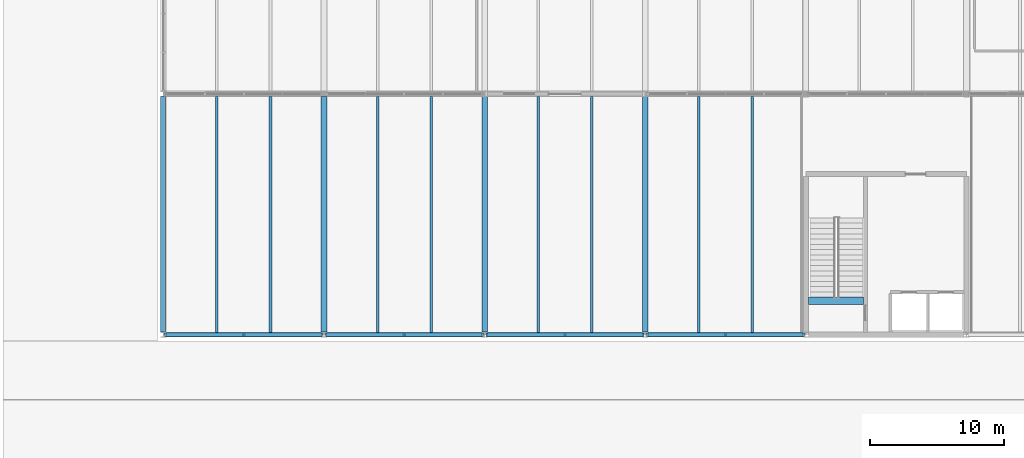
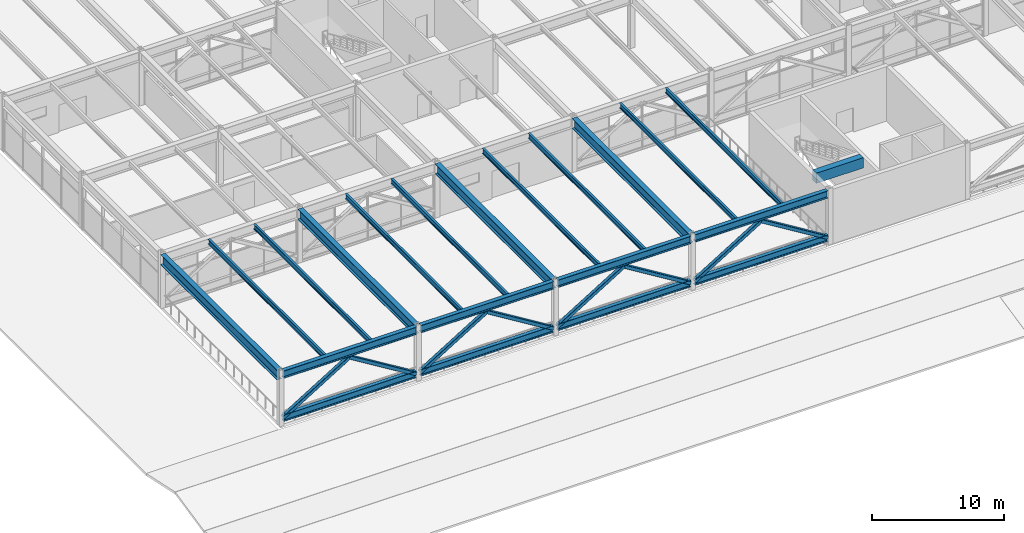
# One storey, part 6 of 42: 17 beams, 12 members.
"""IFC4 building model written with IfcOpenShell, lengths in metres."""

from ifc_helpers import new_model, si_unit, direction, frame, origin, origin_2d, place, context, subcontext, project, spatial, rectangle, hollow_rectangle, i_section, extrude, material, material_profile, profile_set, type_object, element, save


model = new_model("IFC4")

# Units and contexts
model_context = context("Model", 3, precision=1e-05, world=origin(), true_north=direction((0.0, 1.0)))
body_context = subcontext(model_context, "Body", "Model", "MODEL_VIEW")
ifc_project = project(units=[si_unit("LENGTHUNIT", "METRE"), si_unit("AREAUNIT", "SQUARE_METRE"), si_unit("VOLUMEUNIT", "CUBIC_METRE"), si_unit("PLANEANGLEUNIT", "RADIAN"), si_unit("MASSUNIT", "GRAM", prefix="KILO")], contexts=[model_context])

# Site, building, storey
site_placement = place(None, origin())
site = spatial("IfcSite", under=ifc_project, at=site_placement, CompositionType="ELEMENT")
building_placement = place(site_placement, origin())
building = spatial("IfcBuilding", under=site, at=building_placement, Name="Girod Span Mobility Hub", CompositionType="ELEMENT")
storey_placement = place(building_placement, frame((0.0, 0.0, 32.39990234375)))
storey = spatial("IfcBuildingStorey", under=building, at=storey_placement, Name="L08", CompositionType="ELEMENT", Elevation=32.39990234375)

# Beams
ifc_material_1 = material(Name="Concrete C40/50", Category="concrete")
ifc_material_profile_1 = material_profile(ifc_material_1, rectangle(XDim=0.550048828125, YDim=0.949951171875, at=origin_2d()), Name="RK-550X950")
ifc_profile_set_1 = profile_set([ifc_material_profile_1], Name="Concrete C40/50")
beam_type_1 = type_object("IfcBeamType", Name="BM-RK-550X950", PredefinedType="BEAM", material=ifc_profile_set_1)
beam_placement = place(storey_placement, frame((72.18701171875, 29.550048828125, 4.565185546875), z_axis=(1.0, 0.0, 0.0), x_axis=(0.0, 1.0, 0.0)))
element("IfcBeam", 1, at=beam_placement, inside=storey, type_object=beam_type_1, Name="Stair ST-3 Landing Header Beam L08", PredefinedType="BEAM", context=body_context, shape_type="SweptSolid", body=[
    extrude(rectangle(XDim=0.550048828125, YDim=0.949951171875, at=origin_2d()), origin(), (0.0, 0.0, 1.0), 4.115966796875),
])
ifc_material_2 = material(Name="Steel A992 Grade 50", Category="steel")
ifc_material_profile_2 = material_profile(ifc_material_2, i_section(OverallWidth=0.19189453125, OverallDepth=0.462890625, WebThickness=0.010498046875, FlangeThickness=0.017578125, FilletRadius=0.013916015625, at=origin_2d()), Name="W18X60")
ifc_profile_set_2 = profile_set([ifc_material_profile_2], Name="Steel A992 Grade 50")
beam_type_2 = type_object("IfcBeamType", Name="BM-STL-W18X60", PredefinedType="BEAM", material=ifc_profile_set_2)
for number, where, z_axis, x_axis, name in (
    (2, (28.0, 27.174560546875, 4.80859375), (0.0, 1.0, 0.0), (-1.0, 0.0, 0.0), "Composite Floorbeam 3/C-1 L08"),
    (3, (32.0, 27.174560546875, 4.80859375), (0.0, 1.0, 0.0), (-1.0, 0.0, 0.0), "Composite Floorbeam 3/C-2 L08"),
    (4, (40.0, 27.174560546875, 4.80859375), (0.0, 1.0, 0.0), (-1.0, 0.0, 0.0), "Composite Floorbeam 4/C-1 L08"),
    (5, (44.0, 27.174560546875, 4.80859375), (0.0, 1.0, 0.0), (-1.0, 0.0, 0.0), "Composite Floorbeam 4/C-2 L08"),
    (6, (52.0, 27.174560546875, 4.80859375), (0.0, 1.0, 0.0), (-1.0, 0.0, 0.0), "Composite Floorbeam 5/C-1 L08"),
    (7, (56.0, 27.174560546875, 4.80859375), (0.0, 1.0, 0.0), (-1.0, 0.0, 0.0), "Composite Floorbeam 5/C-2 L08"),
    (8, (64.0, 27.174560546875, 4.80859375), (0.0, 1.0, 0.0), (-1.0, 0.0, 0.0), "Composite Floorbeam 6/C-1 L08"),
    (9, (68.0, 27.174560546875, 4.80859375), (0.0, 1.0, 0.0), (-1.0, 0.0, 0.0), "Composite Floorbeam 6/C-2 L08"),
):
    element("IfcBeam", number, at=place(storey_placement, frame(where, z_axis=z_axis, x_axis=x_axis)), inside=storey, type_object=beam_type_2, Name=name, PredefinedType="BEAM", context=body_context, shape_type="SweptSolid", body=[
        extrude(i_section(OverallWidth=0.19189453125, OverallDepth=0.462890625, WebThickness=0.010498046875, FlangeThickness=0.017578125, FilletRadius=0.013916015625, at=origin_2d()), origin(), (0.0, 0.0, 1.0), 17.616943359375),
    ])
ifc_material_3 = material(Name="Steel A992 Grade 50", Category="steel")
ifc_material_profile_3 = material_profile(ifc_material_3, i_section(OverallWidth=0.35498046875, OverallDepth=0.695068359375, WebThickness=0.015380859375, FlangeThickness=0.02490234375, FilletRadius=0.01806640625, at=origin_2d()), Name="W27X146")
ifc_profile_set_3 = profile_set([ifc_material_profile_3], Name="Steel A992 Grade 50")
beam_type_3 = type_object("IfcBeamType", Name="BM-STL-W27X146", PredefinedType="BEAM", material=ifc_profile_set_3)
for number, where, z_axis, x_axis, name in (
    (10, (24.196533203125, 27.0, 4.692626953125), (1.0, 0.0, 0.0), (0.0, 1.0, 0.0), "Girder 3-4/C L08"),
    (11, (36.196533203125, 27.0, 4.692626953125), (1.0, 0.0, 0.0), (0.0, 1.0, 0.0), "Girder 4-5/C L08"),
    (12, (48.196533203125, 27.0, 4.692626953125), (1.0, 0.0, 0.0), (0.0, 1.0, 0.0), "Girder 5-6/C L08"),
    (13, (60.196533203125, 27.0, 4.692626953125), (1.0, 0.0, 0.0), (0.0, 1.0, 0.0), "Girder 6-7/C L08"),
):
    element("IfcBeam", number, at=place(storey_placement, frame(where, z_axis=z_axis, x_axis=x_axis)), inside=storey, type_object=beam_type_3, Name=name, PredefinedType="BEAM", context=body_context, shape_type="SweptSolid", body=[
        extrude(i_section(OverallWidth=0.35498046875, OverallDepth=0.695068359375, WebThickness=0.015380859375, FlangeThickness=0.02490234375, FilletRadius=0.01806640625, at=origin_2d()), origin(), (0.0, 0.0, 1.0), 11.60693359375),
    ])
ifc_material_4 = material(Name="Steel A992 Grade 50", Category="steel")
ifc_material_profile_4 = material_profile(ifc_material_4, i_section(OverallWidth=0.423095703125, OverallDepth=0.93994140625, WebThickness=0.02392578125, FlangeThickness=0.042724609375, FilletRadius=0.02392578125, at=origin_2d()), Name="W36X302")
ifc_profile_set_4 = profile_set([ifc_material_profile_4], Name="Steel A992 Grade 50")
beam_type_4 = type_object("IfcBeamType", Name="BM-STL-W36X302", PredefinedType="BEAM", material=ifc_profile_set_4)
for number, where, z_axis, x_axis, name in (
    (14, (24.0, 27.193603515625, 4.570068359375), (0.0, 1.0, 0.0), (-1.0, 0.0, 0.0), "Tie Girder 3/C-D L08"),
    (15, (36.0, 27.193603515625, 4.570068359375), (0.0, 1.0, 0.0), (-1.0, 0.0, 0.0), "Tie Girder 4/C-D L08"),
):
    element("IfcBeam", number, at=place(storey_placement, frame(where, z_axis=z_axis, x_axis=x_axis)), inside=storey, type_object=beam_type_4, Name=name, PredefinedType="BEAM", context=body_context, shape_type="SweptSolid", body=[
        extrude(i_section(OverallWidth=0.423095703125, OverallDepth=0.93994140625, WebThickness=0.02392578125, FlangeThickness=0.042724609375, FilletRadius=0.02392578125, at=origin_2d()), origin(), (0.0, 0.0, 1.0), 17.61279296875),
    ])
for number, where, z_axis, x_axis, name in (
    (16, (48.0, 27.193603515625, 4.570068359375), (0.0, 1.0, 0.0), (-1.0, 0.0, 0.0), "Tie Girder 5/C-D L08"),
    (17, (60.0, 27.193603515625, 4.570068359375), (0.0, 1.0, 0.0), (-1.0, 0.0, 0.0), "Tie Girder 6/C-D L08"),
):
    element("IfcBeam", number, at=place(storey_placement, frame(where, z_axis=z_axis, x_axis=x_axis)), inside=storey, type_object=beam_type_4, Name=name, PredefinedType="BEAM", context=body_context, shape_type="SweptSolid", body=[
        extrude(i_section(OverallWidth=0.423095703125, OverallDepth=0.93994140625, WebThickness=0.02392578125, FlangeThickness=0.042724609375, FilletRadius=0.02392578125, at=origin_2d()), origin(), (0.0, 0.0, 1.0), 17.601318359375),
    ])

# Members
ifc_material_5 = material(Name="Steel HSS A500 Grade C", Category="steel")
ifc_material_profile_5 = material_profile(ifc_material_5, hollow_rectangle(XDim=0.304931640625, YDim=0.304931640625, WallThickness=0.014892578125, InnerFilletRadius=0.014892578125, OuterFilletRadius=0.029541015625, at=origin_2d()), Name="HSS305X305X16")
ifc_profile_set_5 = profile_set([ifc_material_profile_5], Name="Steel HSS A500 Grade C")
member_type_1 = type_object("IfcMemberType", Name="MB-BR-HSS305", PredefinedType="BRACE", material=ifc_profile_set_5)
for number, where, z_axis, x_axis, name in (
    (18, (24.179443359375, 27.0, 0.650146484375), (0.852429572688, 0.0, 0.522842063731), (0.0, 1.0, 0.0), "Warren Transfer Truss Web Diagonal Y=27 3-L"),
    (19, (35.820556640625, 27.0, 0.650146484375), (-0.852429572688, 0.0, 0.522842063731), (0.0, -1.0, 0.0), "Warren Transfer Truss Web Diagonal Y=27 3-R"),
    (20, (36.179443359375, 27.0, 0.650146484375), (0.852429572688, 0.0, 0.522842063731), (0.0, 1.0, 0.0), "Warren Transfer Truss Web Diagonal Y=27 4-L"),
    (21, (47.820556640625, 27.0, 0.650146484375), (-0.852429572688, 0.0, 0.522842063731), (0.0, -1.0, 0.0), "Warren Transfer Truss Web Diagonal Y=27 4-R"),
    (22, (48.179443359375, 27.0, 0.650146484375), (0.852429572688, 0.0, 0.522842063731), (0.0, 1.0, 0.0), "Warren Transfer Truss Web Diagonal Y=27 5-L"),
    (23, (59.820556640625, 27.0, 0.650146484375), (-0.852429572688, 0.0, 0.522842063731), (0.0, -1.0, 0.0), "Warren Transfer Truss Web Diagonal Y=27 5-R"),
    (24, (60.179443359375, 27.0, 0.650146484375), (0.852429572688, 0.0, 0.522842063731), (0.0, 1.0, 0.0), "Warren Transfer Truss Web Diagonal Y=27 6-L"),
    (25, (71.820556640625, 27.0, 0.650146484375), (-0.852429572688, 0.0, 0.522842063731), (0.0, -1.0, 0.0), "Warren Transfer Truss Web Diagonal Y=27 6-R"),
):
    element("IfcMember", number, at=place(storey_placement, frame(where, z_axis=z_axis, x_axis=x_axis)), inside=storey, type_object=member_type_1, Name=name, PredefinedType="BRACE", context=body_context, shape_type="SweptSolid", body=[
        extrude(hollow_rectangle(XDim=0.304931640625, YDim=0.304931640625, WallThickness=0.014892578125, InnerFilletRadius=0.014892578125, OuterFilletRadius=0.029541015625, at=origin_2d()), origin(), (0.0, 0.0, 1.0), 6.828125),
    ])
ifc_material_6 = material(Name="Steel A992 Grade 50", Category="steel")
ifc_material_profile_6 = material_profile(ifc_material_6, i_section(OverallWidth=0.323974609375, OverallDepth=0.611083984375, WebThickness=0.0126953125, FlangeThickness=0.01904296875, FilletRadius=0.014892578125, at=origin_2d()), Name="W24X104")
ifc_profile_set_6 = profile_set([ifc_material_profile_6], Name="Steel A992 Grade 50")
member_type_2 = type_object("IfcMemberType", Name="MB-CH-W24X104", PredefinedType="CHORD", material=ifc_profile_set_6)
for number, where, z_axis, x_axis, name in (
    (26, (24.196533203125, 27.0, 0.64453125), (1.0, 0.0, 0.0), (0.0, 1.0, 0.0), "Warren Transfer Truss Bottom Chord Y=27 Bay 3"),
    (27, (36.196533203125, 27.0, 0.64453125), (1.0, 0.0, 0.0), (0.0, 1.0, 0.0), "Warren Transfer Truss Bottom Chord Y=27 Bay 4"),
    (28, (48.196533203125, 27.0, 0.64453125), (1.0, 0.0, 0.0), (0.0, 1.0, 0.0), "Warren Transfer Truss Bottom Chord Y=27 Bay 5"),
    (29, (60.196533203125, 27.0, 0.64453125), (1.0, 0.0, 0.0), (0.0, 1.0, 0.0), "Warren Transfer Truss Bottom Chord Y=27 Bay 6"),
):
    element("IfcMember", number, at=place(storey_placement, frame(where, z_axis=z_axis, x_axis=x_axis)), inside=storey, type_object=member_type_2, Name=name, PredefinedType="CHORD", context=body_context, shape_type="SweptSolid", body=[
        extrude(i_section(OverallWidth=0.323974609375, OverallDepth=0.611083984375, WebThickness=0.0126953125, FlangeThickness=0.01904296875, FilletRadius=0.014892578125, at=origin_2d()), origin(), (0.0, 0.0, 1.0), 11.60693359375),
    ])

save(model, "model.ifc")
